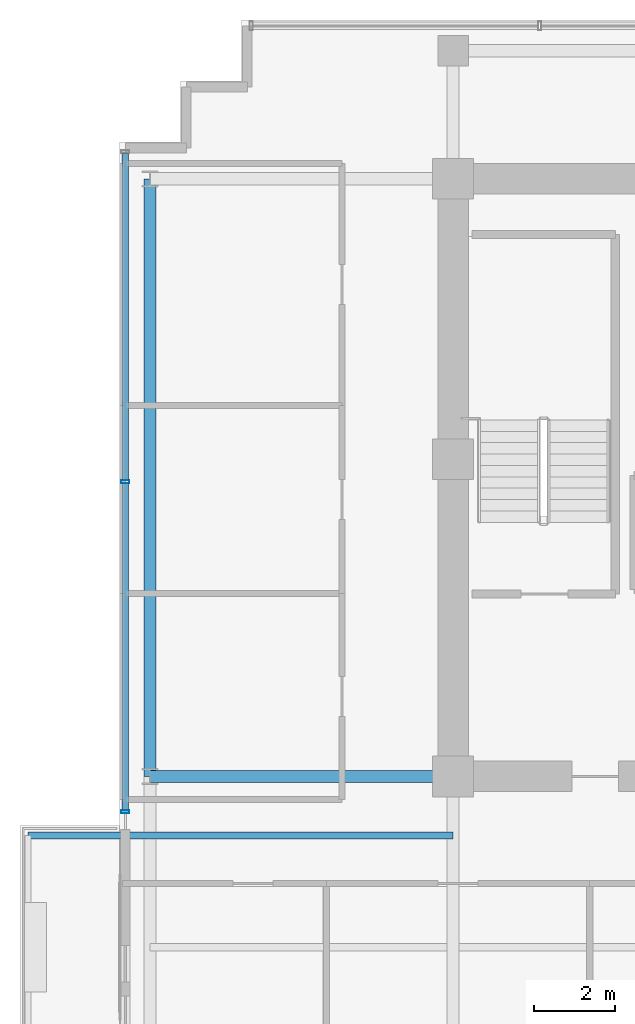
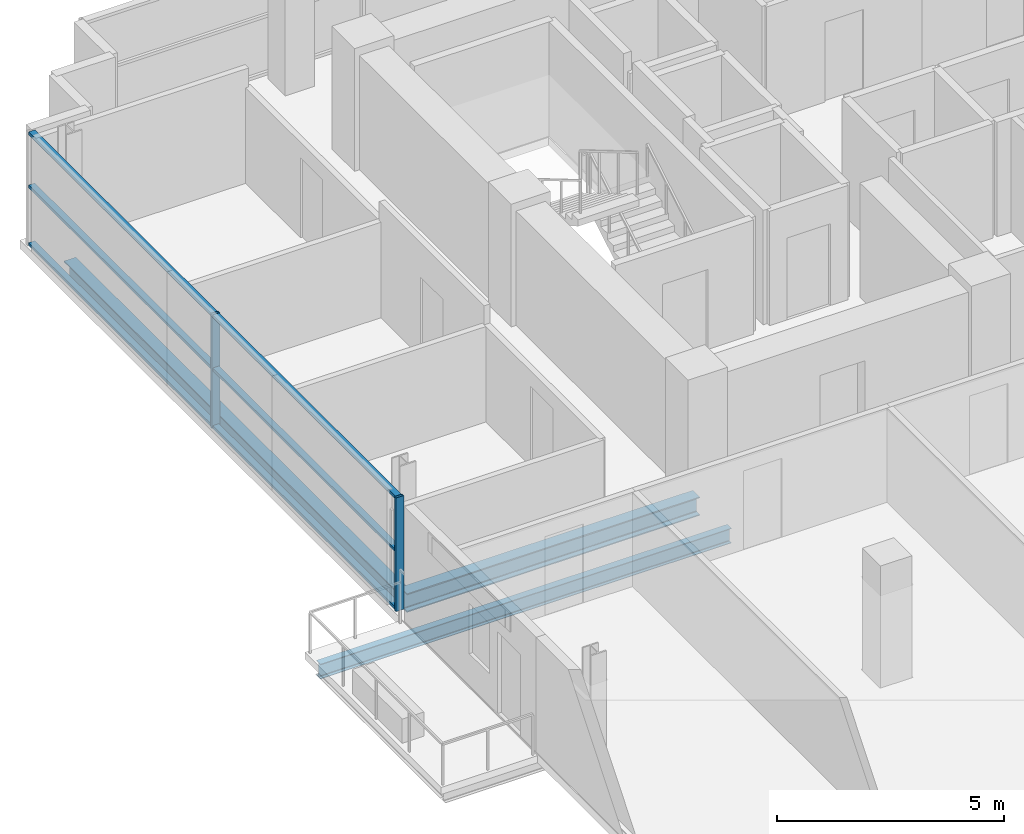
# One storey, part 5 of 22: 8 members, 3 beams, 1 element without a shape of its own.
"""IFC4 building model written with IfcOpenShell, lengths in metres."""

import ifcopenshell
import ifcopenshell.guid

model = None  # the IFC model being written
_history = None  # IfcOwnerHistory: only IFC2X3 demands one
_inside = {}  # id of a spatial element -> (the spatial element, [elements in it])
_under = {}  # id of a project, library or spatial element -> (it, [spatial elements below it])
_declared = {}  # id of a project -> (the project, [libraries it declares])
_typed = {}  # id of a type object -> (the type object, [elements of that type])
_made_of = {}  # id of a material, layer set ... -> (it, [elements and type objects made of it])


def new_model(schema):
    """Start an empty IFC model of exactly this schema.

    Asked for "IFC4X3", IfcOpenShell would pick the latest addendum, in which some entities
    have other attributes; the version numbers below select the first issue.
    IFC2X3 requires an IfcOwnerHistory on every rooted entity: one is made here for all.
    """
    global model, _history
    if schema == "IFC4X3":
        model = ifcopenshell.file(schema_version=(4, 3, 0, 0))
    else:
        model = ifcopenshell.file(schema=schema)
    _inside.clear()
    _under.clear()
    _declared.clear()
    _typed.clear()
    _made_of.clear()
    _history = None
    if model.schema == "IFC2X3":
        org = make("IfcOrganization", Name="unknown")
        user = make(
            "IfcPersonAndOrganization",
            ThePerson=make("IfcPerson", FamilyName="unknown"),
            TheOrganization=org,
        )
        app = make(
            "IfcApplication",
            ApplicationDeveloper=org,
            Version="unknown",
            ApplicationFullName="unknown",
            ApplicationIdentifier="unknown",
        )
        _history = make(
            "IfcOwnerHistory",
            OwningUser=user,
            OwningApplication=app,
            ChangeAction="ADDED",
            CreationDate=0,
        )
    return model


def make(cls, **values):
    """One entity of the class cls with the attributes given. An attribute that is None is left unset."""
    return model.create_entity(
        cls, **{name: value for name, value in values.items() if value is not None}
    )


def rooted(cls, **values):
    """An entity with a GlobalId (a new one), such as an element, a storey or a relation."""
    return make(cls, GlobalId=ifcopenshell.guid.new(), OwnerHistory=_history, **values)


def si_unit(unit_type, name, prefix=None):
    """IfcSIUnit, for example si_unit("LENGTHUNIT", "METRE", prefix="MILLI")."""
    return make("IfcSIUnit", UnitType=unit_type, Prefix=prefix, Name=name)


def assignment(units):
    """IfcUnitAssignment: the units of a project."""
    return None if units is None else make("IfcUnitAssignment", Units=units)


def point(xyz):
    """IfcCartesianPoint."""
    return None if xyz is None else make("IfcCartesianPoint", Coordinates=xyz)


def direction(xyz):
    """IfcDirection."""
    return None if xyz is None else make("IfcDirection", DirectionRatios=xyz)


def frame(location, z_axis=None, x_axis=None):
    """IfcAxis2Placement3D, a coordinate frame: its origin and axes. An axis left out is left unset."""
    return make(
        "IfcAxis2Placement3D",
        Location=point(location),
        Axis=direction(z_axis),
        RefDirection=direction(x_axis),
    )


def frame_2d(location, x_axis=None):
    """IfcAxis2Placement2D, a coordinate frame in the plane: its origin and x axis."""
    return make(
        "IfcAxis2Placement2D", Location=point(location), RefDirection=direction(x_axis)
    )


def origin():
    """The frame at (0, 0, 0) with its axes left unset."""
    return frame((0.0, 0.0, 0.0))


def origin_2d():
    """The frame at (0, 0) in the plane with its x axis left unset."""
    return frame_2d((0.0, 0.0))


def place(relative_to, where):
    """IfcLocalPlacement: puts the frame where relative to a parent placement (None: the world)."""
    return make(
        "IfcLocalPlacement", PlacementRelTo=relative_to, RelativePlacement=where
    )


def context(
    kind, dimensions, precision=None, world=None, true_north=None, identifier=None
):
    """IfcGeometricRepresentationContext, for example the 3D "Model" context."""
    return make(
        "IfcGeometricRepresentationContext",
        ContextIdentifier=identifier,
        ContextType=kind,
        CoordinateSpaceDimension=dimensions,
        Precision=precision,
        WorldCoordinateSystem=world,
        TrueNorth=true_north,
    )


def subcontext(parent, identifier, kind, view, scale=None):
    """IfcGeometricRepresentationSubContext, for example "Body" below "Model"."""
    return make(
        "IfcGeometricRepresentationSubContext",
        ContextIdentifier=identifier,
        ContextType=kind,
        ParentContext=parent,
        TargetScale=scale,
        TargetView=view,
    )


def project(units=None, contexts=None):
    """IfcProject with its units and contexts."""
    return rooted(
        "IfcProject",
        Name="project",
        RepresentationContexts=contexts,
        UnitsInContext=assignment(units),
    )


def spatial(cls, under=None, at=None, **own):
    """A site, building, storey or space (cls), placed at a placement, below another one or the project."""
    s = rooted(cls, ObjectPlacement=at, **own)
    if under is not None:
        _under.setdefault(under.id(), (under, []))[1].append(s)
    return s


def profile(cls, at=None, kind="AREA", **sizes):
    """A parametric profile (cls). Its sizes go by their IFC names, for example OverallWidth=200.0."""
    return make(cls, ProfileType=kind, Position=at, **sizes)


def hollow_rectangle(**sizes):
    """IfcRectangleHollowProfileDef."""
    return profile("IfcRectangleHollowProfileDef", **sizes)


def i_section(**sizes):
    """IfcIShapeProfileDef."""
    return profile("IfcIShapeProfileDef", **sizes)


def extrude(swept, where, along, depth):
    """IfcExtrudedAreaSolid: the profile swept, set in the frame where, extruded along a direction by depth."""
    return make(
        "IfcExtrudedAreaSolid",
        SweptArea=swept,
        Position=where,
        ExtrudedDirection=direction(along),
        Depth=depth,
    )


def shape(context_of_items, identifier, shape_type, items):
    """IfcShapeRepresentation: the items that make up one representation, for example the "Body"."""
    return make(
        "IfcShapeRepresentation",
        ContextOfItems=context_of_items,
        RepresentationIdentifier=identifier,
        RepresentationType=shape_type,
        Items=items,
    )


def source(mapping_origin, context_of_items, identifier, shape_type, items):
    """IfcRepresentationMap: a shape defined once, which mapped items show again and again."""
    return make(
        "IfcRepresentationMap",
        MappingOrigin=mapping_origin,
        MappedRepresentation=shape(context_of_items, identifier, shape_type, items),
    )


def transform(
    local_origin,
    x_axis=None,
    y_axis=None,
    z_axis=None,
    scale=None,
    scale2=None,
    scale3=None,
    uniform=True,
):
    """IfcCartesianTransformationOperator3D, or its non-uniform kind. x_axis, y_axis, z_axis: its Axis1, 2, 3."""
    if uniform:
        return make(
            "IfcCartesianTransformationOperator3D",
            Axis1=direction(x_axis),
            Axis2=direction(y_axis),
            LocalOrigin=point(local_origin),
            Scale=scale,
            Axis3=direction(z_axis),
        )
    return make(
        "IfcCartesianTransformationOperator3DnonUniform",
        Axis1=direction(x_axis),
        Axis2=direction(y_axis),
        LocalOrigin=point(local_origin),
        Scale=scale,
        Axis3=direction(z_axis),
        Scale2=scale2,
        Scale3=scale3,
    )


def mapped(mapping_source, mapping_target):
    """IfcMappedItem: shows the shape of a source again, moved by a transform."""
    return make(
        "IfcMappedItem", MappingSource=mapping_source, MappingTarget=mapping_target
    )


def material(Name=None, Category=None):
    """IfcMaterial."""
    return make("IfcMaterial", Name=Name, Category=Category)


def layer(
    of_material, thickness, ventilated=None, Name=None, Category=None, Priority=None
):
    """IfcMaterialLayer: one layer of a wall or slab, of a material (None: an air gap)."""
    return make(
        "IfcMaterialLayer",
        Material=of_material,
        LayerThickness=thickness,
        IsVentilated=ventilated,
        Name=Name,
        Category=Category,
        Priority=Priority,
    )


def layer_set(layers, Name=None):
    """IfcMaterialLayerSet."""
    return make("IfcMaterialLayerSet", MaterialLayers=layers, LayerSetName=Name)


def material_profile(
    of_material, cross_section, Name=None, Category=None, Priority=None
):
    """IfcMaterialProfile: a cross section and its material."""
    return make(
        "IfcMaterialProfile",
        Name=Name,
        Material=of_material,
        Profile=cross_section,
        Priority=Priority,
        Category=Category,
    )


def profile_set(profiles, Name=None, composite=None):
    """IfcMaterialProfileSet."""
    return make(
        "IfcMaterialProfileSet",
        Name=Name,
        MaterialProfiles=profiles,
        CompositeProfile=composite,
    )


def made_of(thing, what):
    """Note that an element or type object is made of a material, layer set ...; save() writes the relation."""
    if what is not None:
        _made_of.setdefault(what.id(), (what, []))[1].append(thing)
    return thing


def type_object(cls, material=None, **own):
    """A type object (cls), such as IfcWallType, which elements share."""
    return made_of(rooted(cls, **own), material)


def element(
    cls,
    number,
    at=None,
    inside=None,
    cuts=None,
    type_object=None,
    material=None,
    context=None,
    identifier="Body",
    shape_type=None,
    held_by="IfcProductDefinitionShape",
    body=None,
    shapes=None,
    **own,
):
    """One element of the class cls, such as IfcWall. Its Tag is "e" and its number.

    at: its placement. inside: the storey or other place that contains it. cuts: it is an
    opening in that element (IfcRelVoidsElement). A single representation is given by context,
    identifier, shape_type and body (its items); several are given by shapes. held_by: the class
    of the entity that holds the representations. save() writes the other relations.
    """
    e = rooted(cls, Tag="e%d" % number, ObjectPlacement=at, **own)
    if body is not None:
        shapes = [shape(context, identifier, shape_type, body)]
    if shapes is not None:
        e.Representation = make(held_by, Representations=shapes)
    if inside is not None:
        _inside.setdefault(inside.id(), (inside, []))[1].append(e)
    if cuts is not None:
        rooted(
            "IfcRelVoidsElement", RelatingBuildingElement=cuts, RelatedOpeningElement=e
        )
    if type_object is not None:
        _typed.setdefault(type_object.id(), (type_object, []))[1].append(e)
    return made_of(e, material)


def aggregate(whole, parts):
    """IfcRelAggregates: a whole, such as a stair, and the parts it consists of."""
    return rooted("IfcRelAggregates", RelatingObject=whole, RelatedObjects=parts)


def save(model, path):
    """Write the relations noted so far, then the file.

    IfcRelAggregates (storeys below a building ...), IfcRelContainedInSpatialStructure (elements
    in a storey), IfcRelDefinesByType, IfcRelAssociatesMaterial and IfcRelDeclares: one each for
    every whole, place, type object, material and project.
    """
    for whole, parts in _under.values():
        aggregate(whole, parts)
    for where, things in _inside.values():
        rooted(
            "IfcRelContainedInSpatialStructure",
            RelatedElements=things,
            RelatingStructure=where,
        )
    for kind, things in _typed.values():
        rooted("IfcRelDefinesByType", RelatedObjects=things, RelatingType=kind)
    for what, things in _made_of.values():
        rooted("IfcRelAssociatesMaterial", RelatedObjects=things, RelatingMaterial=what)
    for by, libraries in _declared.values():
        rooted("IfcRelDeclares", RelatingContext=by, RelatedDefinitions=libraries)
    model.write(path)


model = new_model("IFC4")

# Units and contexts
model_context = context("Model", 3, precision=1e-05, world=origin(), true_north=direction((0.0, 1.0)))
body_context = subcontext(model_context, "Body", "Model", "MODEL_VIEW")
ifc_project = project(units=[si_unit("LENGTHUNIT", "METRE"), si_unit("AREAUNIT", "SQUARE_METRE"), si_unit("VOLUMEUNIT", "CUBIC_METRE"), si_unit("PLANEANGLEUNIT", "RADIAN"), si_unit("MASSUNIT", "GRAM", prefix="KILO")], contexts=[model_context])

# Site, building, storey
site_placement = place(None, origin())
site = spatial("IfcSite", under=ifc_project, at=site_placement, CompositionType="ELEMENT")
building_placement = place(site_placement, origin())
building = spatial("IfcBuilding", under=site, at=building_placement, Name="Zarnakvel Exchange Tower", CompositionType="ELEMENT")
storey_placement = place(building_placement, frame((0.0, 0.0, 179.199951171875)))
storey = spatial("IfcBuildingStorey", under=building, at=storey_placement, Name="L50", CompositionType="ELEMENT", Elevation=179.199951171875)

# Beams
ifc_material_1 = material(Name="Steel S355", Category="steel")
ifc_material_profile_1 = material_profile(ifc_material_1, i_section(OverallWidth=0.179931640625, OverallDepth=0.39990234375, WebThickness=0.008544921875, FlangeThickness=0.013427734375, FilletRadius=0.02099609375, at=origin_2d()))
ifc_profile_set_1 = profile_set([ifc_material_profile_1], Name="Steel S355")
beam_type_1 = type_object("IfcBeamType", Name="B-06", PredefinedType="JOIST", material=ifc_profile_set_1)
beam_1_placement = place(storey_placement, frame((-14.39990234375, -2.64990234375, -0.425048828125), z_axis=(-1.0, 0.0, 0.0), x_axis=(0.0, -1.0, 0.0)))
element("IfcBeam", 1, at=beam_1_placement, inside=storey, type_object=beam_type_1, Name="L50 Continuous West Loggia Beam N", PredefinedType="JOIST", context=body_context, shape_type="SweptSolid", body=[
    extrude(i_section(OverallWidth=0.179931640625, OverallDepth=0.39990234375, WebThickness=0.008544921875, FlangeThickness=0.013427734375, FilletRadius=0.02099609375, at=origin_2d()), origin(), (0.0, 0.0, 1.0), 10.4501953125),
])
ifc_material_profile_2 = material_profile(ifc_material_1, i_section(OverallWidth=0.300048828125, OverallDepth=0.5, WebThickness=0.014404296875, FlangeThickness=0.028076171875, FilletRadius=0.027099609375, at=origin_2d()))
ifc_profile_set_2 = profile_set([ifc_material_profile_2], Name="Steel S355")
beam_type_2 = type_object("IfcBeamType", Name="G-06", PredefinedType="BEAM", material=ifc_profile_set_2)
beam_2_placement = place(storey_placement, frame((-21.85009765625, -1.199951171875, -0.474853515625), z_axis=(1.0, 0.0, 0.0), x_axis=(0.0, 1.0, 0.0)))
element("IfcBeam", 2, at=beam_2_placement, inside=storey, type_object=beam_type_2, Name="L50 Tower E-W Frame Beam", PredefinedType="BEAM", context=body_context, shape_type="SweptSolid", body=[
    extrude(i_section(OverallWidth=0.300048828125, OverallDepth=0.5, WebThickness=0.014404296875, FlangeThickness=0.028076171875, FilletRadius=0.027099609375, at=origin_2d()), origin(), (0.0, 0.0, 1.0), 7.4501953125),
])
ifc_material_profile_3 = material_profile(ifc_material_1, i_section(OverallWidth=0.300048828125, OverallDepth=0.5, WebThickness=0.014404296875, FlangeThickness=0.028076171875, FilletRadius=0.027099609375, at=origin_2d()))
ifc_profile_set_3 = profile_set([ifc_material_profile_3], Name="Steel S355")
beam_type_3 = type_object("IfcBeamType", Name="SP-02", PredefinedType="SPANDREL", material=ifc_profile_set_3)
beam_3_placement = place(storey_placement, frame((-21.85009765625, -1.199951171875, -0.474853515625), z_axis=(0.0, 1.0, 0.0), x_axis=(-1.0, 0.0, 0.0)))
element("IfcBeam", 3, at=beam_3_placement, inside=storey, type_object=beam_type_3, Name="L50 Tower N-S Frame Beam", PredefinedType="SPANDREL", context=body_context, shape_type="SweptSolid", body=[
    extrude(i_section(OverallWidth=0.300048828125, OverallDepth=0.5, WebThickness=0.014404296875, FlangeThickness=0.028076171875, FilletRadius=0.027099609375, at=origin_2d()), origin(), (0.0, 0.0, 1.0), 14.699951171875),
])

# Curtain wall, members
ifc_material_2 = material(Name="Architectural Bronze Anodised Aluminium", Category="aluminium")
ifc_layer = layer(ifc_material_2, 0.199951171875)
ifc_layer_set = layer_set([ifc_layer], Name="Architectural Bronze Anodised Aluminium")
curtain_wall_type = type_object("IfcCurtainWallType", Name="CW-04", PredefinedType="NOTDEFINED", material=ifc_layer_set)
curtain_wall_placement = place(storey_placement, origin())
curtain_wall = element("IfcCurtainWall", 4, at=curtain_wall_placement, inside=storey, type_object=curtain_wall_type, Name="L50 Curtain Wall CW-L50-WN (CW-04)", PredefinedType="NOTDEFINED")
ifc_material_profile_4 = material_profile(ifc_material_2, hollow_rectangle(XDim=0.199951171875, YDim=0.074951171875, WallThickness=0.0048828125, at=origin_2d()))
ifc_profile_set_4 = profile_set([ifc_material_profile_4], Name="Architectural Bronze Anodised Aluminium")
member_type_1 = type_object("IfcMemberType", Name="CWM-04", PredefinedType="MULLION", material=ifc_profile_set_4)
shared_shape_1 = source(origin(), body_context, "Body", "SweptSolid", [
    extrude(hollow_rectangle(XDim=0.199951171875, YDim=0.074951171875, WallThickness=0.0048828125, at=origin_2d()), origin(), (0.0, 0.0, 1.0), 3.054931640625),
])
member_1_placement = place(storey_placement, frame((-22.4599609375, -2.0625, 0.0), z_axis=(0.0, 0.0, 1.0), x_axis=(-1.0, 0.0, 0.0)))
member_1 = element("IfcMember", 5, at=member_1_placement, type_object=member_type_1, Name="CW-04 mullion 1", PredefinedType="MULLION", context=body_context, shape_type="MappedRepresentation", body=[
    mapped(shared_shape_1, transform((0.0, 0.0, 0.0), x_axis=(1.0, 0.0, 0.0), y_axis=(0.0, 1.0, 0.0), z_axis=(0.0, 0.0, 1.0), scale=1.0)),
])
member_2_placement = place(storey_placement, frame((-22.4599609375, 6.050048828125, 0.0), z_axis=(0.0, 0.0, 1.0), x_axis=(-1.0, 0.0, 0.0)))
member_2 = element("IfcMember", 6, at=member_2_placement, type_object=member_type_1, Name="CW-04 mullion 2", PredefinedType="MULLION", context=body_context, shape_type="MappedRepresentation", body=[
    mapped(shared_shape_1, transform((0.0, 0.0, 0.0), x_axis=(1.0, 0.0, 0.0), y_axis=(0.0, 1.0, 0.0), z_axis=(0.0, 0.0, 1.0), scale=1.0)),
])
ifc_material_profile_5 = material_profile(ifc_material_2, hollow_rectangle(XDim=0.159912109375, YDim=0.074951171875, WallThickness=0.00390625, at=origin_2d()))
ifc_profile_set_5 = profile_set([ifc_material_profile_5], Name="Architectural Bronze Anodised Aluminium")
member_type_2 = type_object("IfcMemberType", Name="CWT-04", PredefinedType="USERDEFINED", material=ifc_profile_set_5)
shared_shape_2 = source(origin(), body_context, "Body", "SweptSolid", [
    extrude(hollow_rectangle(XDim=0.159912109375, YDim=0.074951171875, WallThickness=0.00390625, at=origin_2d()), origin(), (0.0, 0.0, 1.0), 8.037353515625),
])
member_3_placement = place(storey_placement, frame((-22.4599609375, -2.02490234375, 0.03759765625), z_axis=(0.0, 1.0, 0.0), x_axis=(-1.0, 0.0, 0.0)))
member_3 = element("IfcMember", 7, at=member_3_placement, type_object=member_type_2, Name="CW-04 transom 1.1", ObjectType="TRANSOM", PredefinedType="USERDEFINED", context=body_context, shape_type="MappedRepresentation", body=[
    mapped(shared_shape_2, transform((0.0, 0.0, 0.0), x_axis=(1.0, 0.0, 0.0), y_axis=(0.0, 1.0, 0.0), z_axis=(0.0, 0.0, 1.0), scale=1.0)),
])
member_4_placement = place(storey_placement, frame((-22.4599609375, -2.02490234375, 1.588623046875), z_axis=(0.0, 1.0, 0.0), x_axis=(-1.0, 0.0, 0.0)))
member_4 = element("IfcMember", 8, at=member_4_placement, type_object=member_type_2, Name="CW-04 transom 1.2", ObjectType="TRANSOM", PredefinedType="USERDEFINED", context=body_context, shape_type="MappedRepresentation", body=[
    mapped(shared_shape_2, transform((0.0, 0.0, 0.0), x_axis=(1.0, 0.0, 0.0), y_axis=(0.0, 1.0, 0.0), z_axis=(0.0, 0.0, 1.0), scale=1.0)),
])
member_5_placement = place(storey_placement, frame((-22.4599609375, -2.02490234375, 3.017578125), z_axis=(0.0, 1.0, 0.0), x_axis=(-1.0, 0.0, 0.0)))
member_5 = element("IfcMember", 9, at=member_5_placement, type_object=member_type_2, Name="CW-04 transom 1.3", ObjectType="TRANSOM", PredefinedType="USERDEFINED", context=body_context, shape_type="MappedRepresentation", body=[
    mapped(shared_shape_2, transform((0.0, 0.0, 0.0), x_axis=(1.0, 0.0, 0.0), y_axis=(0.0, 1.0, 0.0), z_axis=(0.0, 0.0, 1.0), scale=1.0)),
])
shared_shape_3 = source(origin(), body_context, "Body", "SweptSolid", [
    extrude(hollow_rectangle(XDim=0.159912109375, YDim=0.074951171875, WallThickness=0.00390625, at=origin_2d()), origin(), (0.0, 0.0, 1.0), 8.03759765625),
])
member_6_placement = place(storey_placement, frame((-22.4599609375, 6.08740234375, 0.03759765625), z_axis=(0.0, 1.0, 0.0), x_axis=(-1.0, 0.0, 0.0)))
member_6 = element("IfcMember", 10, at=member_6_placement, type_object=member_type_2, Name="CW-04 transom 2.1", ObjectType="TRANSOM", PredefinedType="USERDEFINED", context=body_context, shape_type="MappedRepresentation", body=[
    mapped(shared_shape_3, transform((0.0, 0.0, 0.0), x_axis=(1.0, 0.0, 0.0), y_axis=(0.0, 1.0, 0.0), z_axis=(0.0, 0.0, 1.0), scale=1.0)),
])
member_7_placement = place(storey_placement, frame((-22.4599609375, 6.08740234375, 1.588623046875), z_axis=(0.0, 1.0, 0.0), x_axis=(-1.0, 0.0, 0.0)))
member_7 = element("IfcMember", 11, at=member_7_placement, type_object=member_type_2, Name="CW-04 transom 2.2", ObjectType="TRANSOM", PredefinedType="USERDEFINED", context=body_context, shape_type="MappedRepresentation", body=[
    mapped(shared_shape_3, transform((0.0, 0.0, 0.0), x_axis=(1.0, 0.0, 0.0), y_axis=(0.0, 1.0, 0.0), z_axis=(0.0, 0.0, 1.0), scale=1.0)),
])
member_8_placement = place(storey_placement, frame((-22.4599609375, 6.08740234375, 3.017578125), z_axis=(0.0, 1.0, 0.0), x_axis=(-1.0, 0.0, 0.0)))
member_8 = element("IfcMember", 12, at=member_8_placement, type_object=member_type_2, Name="CW-04 transom 2.3", ObjectType="TRANSOM", PredefinedType="USERDEFINED", context=body_context, shape_type="MappedRepresentation", body=[
    mapped(shared_shape_3, transform((0.0, 0.0, 0.0), x_axis=(1.0, 0.0, 0.0), y_axis=(0.0, 1.0, 0.0), z_axis=(0.0, 0.0, 1.0), scale=1.0)),
])
aggregate(curtain_wall, [member_1, member_2, member_3, member_4, member_5, member_6, member_7, member_8])

save(model, "model.ifc")
